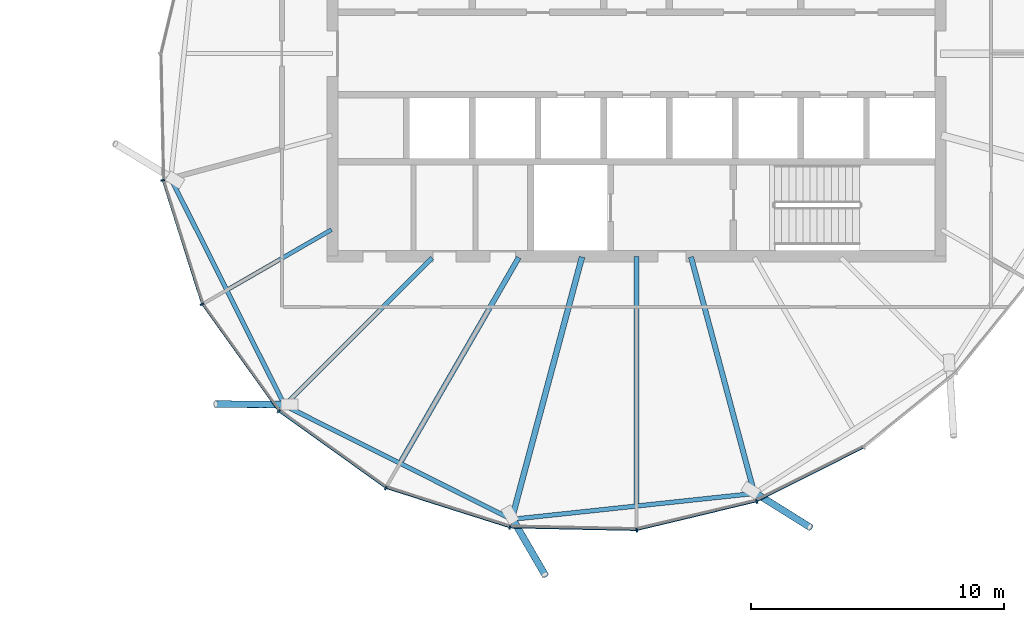
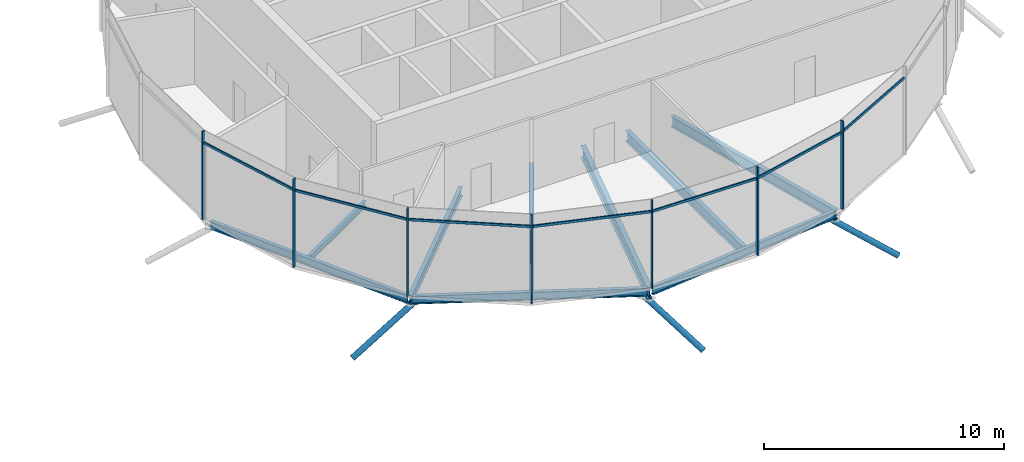
# One storey, part 9 of 31: 17 members, 9 beams, 1 element without a shape of its own.
"""IFC4 building model written with IfcOpenShell, lengths in metres."""

from ifc_helpers import new_model, si_unit, direction, frame, origin, origin_2d, place, context, subcontext, project, spatial, rectangle, hollow_circle, i_section, extrude, clip, halfspace, material, material_profile, profile_set, type_object, element, aggregate, save


model = new_model("IFC4")

# Units and contexts
model_context = context("Model", 3, precision=1e-05, world=origin(), true_north=direction((0.0, 1.0)))
body_context = subcontext(model_context, "Body", "Model", "MODEL_VIEW")
ifc_project = project(units=[si_unit("LENGTHUNIT", "METRE"), si_unit("AREAUNIT", "SQUARE_METRE"), si_unit("VOLUMEUNIT", "CUBIC_METRE"), si_unit("PLANEANGLEUNIT", "RADIAN"), si_unit("MASSUNIT", "GRAM", prefix="KILO")], contexts=[model_context])

# Site, building, storey
site_placement = place(None, origin())
site = spatial("IfcSite", under=ifc_project, at=site_placement, CompositionType="ELEMENT")
building_placement = place(site_placement, origin())
building = spatial("IfcBuilding", under=site, at=building_placement, Name="Rimbun Link Towers", CompositionType="ELEMENT")
storey_placement = place(building_placement, frame((0.0, 0.0, 263.10009765625)))
storey = spatial("IfcBuildingStorey", under=building, at=storey_placement, Name="L64", CompositionType="ELEMENT", Elevation=263.10009765625)

# Curtain wall, members
ifc_material_1 = material(Name="Aluminium 6063-T6 and low-iron glass", Category="aluminium")
curtain_wall_type = type_object("IfcCurtainWallType", Name="CW5 full height lobby wall", PredefinedType="NOTDEFINED", material=ifc_material_1)
curtain_wall_placement = place(storey_placement, origin())
curtain_wall = element("IfcCurtainWall", 1, at=curtain_wall_placement, inside=storey, type_object=curtain_wall_type, Name="CW5 L64 T2", PredefinedType="NOTDEFINED")
ifc_material_2 = material(Name="Aluminium 6063-T6", Category="aluminium")
ifc_material_profile_1 = material_profile(ifc_material_2, rectangle(XDim=0.14990234375, YDim=0.06005859375, at=origin_2d()), Name="MULLION 60X150")
ifc_profile_set_1 = profile_set([ifc_material_profile_1], Name="Aluminium 6063-T6")
member_type_1 = type_object("IfcMemberType", Name="CW5 mullion 60X150", PredefinedType="MULLION", material=ifc_profile_set_1)
member_1_placement = place(storey_placement, frame((13.041259765625, -5.00537109375, 0.0), z_axis=(0.0, 0.0, 1.0), x_axis=(-0.986501737121, -0.16375079437, 0.0)))
member_1 = element("IfcMember", 2, at=member_1_placement, type_object=member_type_1, Name="CW5 mullion", PredefinedType="MULLION", context=body_context, shape_type="SweptSolid", body=[
    extrude(rectangle(XDim=0.14990234375, YDim=0.06005859375, at=origin_2d()), origin(), (0.0, 0.0, 1.0), 4.5),
])
member_2_placement = place(storey_placement, frame((14.597412109375, -9.89794921875, 0.0), z_axis=(0.0, 0.0, 1.0), x_axis=(-0.893745040408, -0.448575303316, 0.0)))
member_2 = element("IfcMember", 3, at=member_2_placement, type_object=member_type_1, Name="CW5 mullion", PredefinedType="MULLION", context=body_context, shape_type="SweptSolid", body=[
    extrude(rectangle(XDim=0.14990234375, YDim=0.06005859375, at=origin_2d()), origin(), (0.0, 0.0, 1.0), 4.5),
])
member_3_placement = place(storey_placement, frame((17.62841796875, -14.12158203125, 0.0), z_axis=(0.0, 0.0, 1.0), x_axis=(-0.707106781187, -0.707106781187, 0.0)))
member_3 = element("IfcMember", 4, at=member_3_placement, type_object=member_type_1, Name="CW5 mullion", PredefinedType="MULLION", context=body_context, shape_type="SweptSolid", body=[
    extrude(rectangle(XDim=0.14990234375, YDim=0.06005859375, at=origin_2d()), origin(), (0.0, 0.0, 1.0), 4.5),
])
member_4_placement = place(storey_placement, frame((21.85205078125, -17.152587890625, 0.0), z_axis=(0.0, 0.0, 1.0), x_axis=(-0.448575303316, -0.893745040408, 0.0)))
member_4 = element("IfcMember", 5, at=member_4_placement, type_object=member_type_1, Name="CW5 mullion", PredefinedType="MULLION", context=body_context, shape_type="SweptSolid", body=[
    extrude(rectangle(XDim=0.14990234375, YDim=0.06005859375, at=origin_2d()), origin(), (0.0, 0.0, 1.0), 4.5),
])
member_5_placement = place(storey_placement, frame((26.74462890625, -18.708740234375, 0.0), z_axis=(0.0, 0.0, 1.0), x_axis=(-0.16375079437, -0.986501737121, 0.0)))
member_5 = element("IfcMember", 6, at=member_5_placement, type_object=member_type_1, Name="CW5 mullion", PredefinedType="MULLION", context=body_context, shape_type="SweptSolid", body=[
    extrude(rectangle(XDim=0.14990234375, YDim=0.06005859375, at=origin_2d()), origin(), (0.0, 0.0, 1.0), 4.5),
])
member_6_placement = place(storey_placement, frame((31.758056640625, -18.814453125, 0.0), z_axis=(0.0, 0.0, 1.0), x_axis=(0.106641931315, -0.994297489932, 0.0)))
member_6 = element("IfcMember", 7, at=member_6_placement, type_object=member_type_1, Name="CW5 mullion", PredefinedType="MULLION", context=body_context, shape_type="SweptSolid", body=[
    extrude(rectangle(XDim=0.14990234375, YDim=0.06005859375, at=origin_2d()), origin(), (0.0, 0.0, 1.0), 4.5),
])
member_7_placement = place(storey_placement, frame((36.49462890625, -17.681640625, 0.0), z_axis=(0.0, 0.0, 1.0), x_axis=(0.34297460179, -0.93934467717, 0.0)))
member_7 = element("IfcMember", 8, at=member_7_placement, type_object=member_type_1, Name="CW5 mullion", PredefinedType="MULLION", context=body_context, shape_type="SweptSolid", body=[
    extrude(rectangle(XDim=0.14990234375, YDim=0.06005859375, at=origin_2d()), origin(), (0.0, 0.0, 1.0), 4.5),
])
ifc_material_3 = material(Name="Aluminium 6063-T6", Category="aluminium")
ifc_material_profile_2 = material_profile(ifc_material_3, rectangle(XDim=0.06005859375, YDim=0.1201171875, at=origin_2d()), Name="TRANSOM 60X120")
ifc_profile_set_2 = profile_set([ifc_material_profile_2], Name="Aluminium 6063-T6")
member_type_2 = type_object("IfcMemberType", Name="CW5 transom 60X120", PredefinedType="USERDEFINED", material=ifc_profile_set_2)
member_8_placement = place(storey_placement, frame((14.596435546875, -9.8544921875, 3.89990234375), z_axis=(-0.30307598417, 0.952966393856, 0.0), x_axis=(-0.952966393856, -0.30307598417, 0.0)))
member_8 = element("IfcMember", 9, at=member_8_placement, type_object=member_type_2, Name="CW5 transom", ObjectType="TRANSOM", PredefinedType="USERDEFINED", context=body_context, shape_type="SweptSolid", body=[
    extrude(rectangle(XDim=0.06005859375, YDim=0.1201171875, at=origin_2d()), origin(), (0.0, 0.0, 1.0), 5.051513671875),
])
member_9_placement = place(storey_placement, frame((17.613525390625, -14.080322265625, 3.89990234375), z_axis=(-0.583011319613, 0.812464030713, 0.0), x_axis=(-0.812464030713, -0.583011319613, 0.0)))
member_9 = element("IfcMember", 10, at=member_9_placement, type_object=member_type_2, Name="CW5 transom", ObjectType="TRANSOM", PredefinedType="USERDEFINED", context=body_context, shape_type="SweptSolid", body=[
    extrude(rectangle(XDim=0.06005859375, YDim=0.1201171875, at=origin_2d()), origin(), (0.0, 0.0, 1.0), 5.11474609375),
])
member_10_placement = place(storey_placement, frame((21.8251953125, -17.118408203125, 3.89990234375), z_axis=(-0.812464030713, 0.583011319613, 0.0), x_axis=(-0.583011319613, -0.812464030713, 0.0)))
member_10 = element("IfcMember", 11, at=member_10_placement, type_object=member_type_2, Name="CW5 transom", ObjectType="TRANSOM", PredefinedType="USERDEFINED", context=body_context, shape_type="SweptSolid", body=[
    extrude(rectangle(XDim=0.06005859375, YDim=0.1201171875, at=origin_2d()), origin(), (0.0, 0.0, 1.0), 5.11474609375),
])
member_11_placement = place(storey_placement, frame((26.70947265625, -18.6845703125, 3.89990234375), z_axis=(-0.952966393856, 0.30307598417, 0.0), x_axis=(-0.30307598417, -0.952966393856, 0.0)))
member_11 = element("IfcMember", 12, at=member_11_placement, type_object=member_type_2, Name="CW5 transom", ObjectType="TRANSOM", PredefinedType="USERDEFINED", context=body_context, shape_type="SweptSolid", body=[
    extrude(rectangle(XDim=0.06005859375, YDim=0.1201171875, at=origin_2d()), origin(), (0.0, 0.0, 1.0), 5.051513671875),
])
member_12_placement = place(storey_placement, frame((31.71875, -18.80126953125, 3.89990234375), z_axis=(-0.999777830849, 0.021078162721, 0.0), x_axis=(-0.021078162721, -0.999777830849, 0.0)))
member_12 = element("IfcMember", 13, at=member_12_placement, type_object=member_type_2, Name="CW5 transom", ObjectType="TRANSOM", PredefinedType="USERDEFINED", context=body_context, shape_type="SweptSolid", body=[
    extrude(rectangle(XDim=0.06005859375, YDim=0.1201171875, at=origin_2d()), origin(), (0.0, 0.0, 1.0), 4.93408203125),
])
member_13_placement = place(storey_placement, frame((36.4541015625, -17.678466796875, 3.89990234375), z_axis=(-0.972564609537, -0.232632930334, 0.0), x_axis=(0.232632930334, -0.972564609537, 0.0)))
member_13 = element("IfcMember", 14, at=member_13_placement, type_object=member_type_2, Name="CW5 transom", ObjectType="TRANSOM", PredefinedType="USERDEFINED", context=body_context, shape_type="SweptSolid", body=[
    extrude(rectangle(XDim=0.06005859375, YDim=0.1201171875, at=origin_2d()), origin(), (0.0, 0.0, 1.0), 4.791748046875),
])
member_14_placement = place(storey_placement, frame((40.694091796875, -15.558837890625, 3.89990234375), z_axis=(-0.893641138393, -0.448782258753, 0.0), x_axis=(0.448782258753, -0.893641138393, 0.0)))
member_14 = element("IfcMember", 15, at=member_14_placement, type_object=member_type_2, Name="CW5 transom", ObjectType="TRANSOM", PredefinedType="USERDEFINED", context=body_context, shape_type="SweptSolid", body=[
    extrude(rectangle(XDim=0.06005859375, YDim=0.1201171875, at=origin_2d()), origin(), (0.0, 0.0, 1.0), 4.6669921875),
])
aggregate(curtain_wall, [member_1, member_2, member_3, member_4, member_5, member_6, member_7, member_8, member_9, member_10, member_11, member_12, member_13, member_14])

# Members
ifc_material_4 = material(Name="Steel S355J2H", Category="steel")
ifc_material_profile_3 = material_profile(ifc_material_4, hollow_circle(Radius=0.136474609375, WallThickness=0.012451171875, at=origin_2d()), Name="CHS 273x12.5")
ifc_profile_set_3 = profile_set([ifc_material_profile_3], Name="Steel S355J2H")
member_type_3 = type_object("IfcMemberType", Name="Floor edge link CHS 273x12.5", PredefinedType="BRACE", material=ifc_profile_set_3)
member_15_placement = place(storey_placement, frame((17.89599609375, -13.85400390625, -0.749755859375), z_axis=(-0.852213506271, 0.005258722271, -0.523167741332), x_axis=(-0.006170545428, -0.999980962003, 0.0)))
element("IfcMember", 16, at=member_15_placement, inside=storey, type_object=member_type_3, Name="Floor edge link T2 L64 12", PredefinedType="BRACE", context=body_context, shape_type="Clipping", body=[
    clip(extrude(hollow_circle(Radius=0.136474609375, WallThickness=0.012451171875, at=origin_2d()), frame((0.0, 0.0, -0.4638671875)), (0.0, 0.0, 1.0), 3.713623046875), halfspace(frame((0.0, 0.0, -0.218505859375), z_axis=(0.0, 0.852229731017, -0.523167741332)), False)),
])
member_16_placement = place(storey_placement, frame((26.83642578125, -18.337890625, -0.898193359375), z_axis=(0.425991668315, -0.732867559034, -0.530505645061), x_axis=(0.86455542927, 0.502537470961, 0.0)))
element("IfcMember", 17, at=member_16_placement, inside=storey, type_object=member_type_3, Name="Floor edge link T2 L64 14", PredefinedType="BRACE", context=body_context, shape_type="Clipping", body=[
    clip(extrude(hollow_circle(Radius=0.136474609375, WallThickness=0.012451171875, at=origin_2d()), frame((0.0, 0.0, -0.455078125)), (0.0, 0.0, 1.0), 3.531494140625), halfspace(frame((0.0, 0.0, -0.2138671875), z_axis=(0.0, 0.847681402744, -0.530505645061)), False)),
])
member_17_placement = place(storey_placement, frame((36.389892578125, -17.31640625, -0.828369140625), z_axis=(0.716120141792, -0.447251079014, -0.535852978755), x_axis=(0.529722952504, 0.848170733751, 0.0)))
element("IfcMember", 18, at=member_17_placement, inside=storey, type_object=member_type_3, Name="Floor edge link T2 L64 16", PredefinedType="BRACE", context=body_context, shape_type="Clipping", body=[
    clip(extrude(hollow_circle(Radius=0.136474609375, WallThickness=0.012451171875, at=origin_2d()), frame((0.0, 0.0, -0.44873046875)), (0.0, 0.0, 1.0), 3.556884765625), halfspace(frame((0.0, 0.0, -0.211181640625), z_axis=(0.0, 0.844311308203, -0.535852978755)), False)),
])

# Beams
ifc_material_5 = material(Name="Steel S355J2", Category="steel")
ifc_material_profile_4 = material_profile(ifc_material_5, i_section(OverallWidth=0.1650390625, OverallDepth=0.303466796875, WebThickness=0.006103515625, FlangeThickness=0.01025390625, at=origin_2d()), Name="UB 305x165x40")
ifc_profile_set_4 = profile_set([ifc_material_profile_4], Name="Steel S355J2")
beam_type_1 = type_object("IfcBeamType", Name="UB 305x165x40", PredefinedType="BEAM", material=ifc_profile_set_4)
beam_1_placement = place(storey_placement, frame((19.7080078125, -6.952392578125, -0.331787109375), z_axis=(-0.866029224906, -0.499993381564, 0.0), x_axis=(0.499993381564, -0.866029224906, 0.0)))
element("IfcBeam", 19, at=beam_1_placement, inside=storey, type_object=beam_type_1, Name="Radial beam T2 L64 11", PredefinedType="BEAM", context=body_context, shape_type="SweptSolid", body=[
    extrude(i_section(OverallWidth=0.1650390625, OverallDepth=0.303466796875, WebThickness=0.006103515625, FlangeThickness=0.01025390625, at=origin_2d()), origin(), (0.0, 0.0, 1.0), 4.68017578125),
])
ifc_material_6 = material(Name="Steel S355J2", Category="steel")
ifc_material_profile_5 = material_profile(ifc_material_6, i_section(OverallWidth=0.177978515625, OverallDepth=0.406494140625, WebThickness=0.0078125, FlangeThickness=0.0126953125, at=origin_2d()), Name="UB 406x178x60")
ifc_profile_set_5 = profile_set([ifc_material_profile_5], Name="Steel S355J2")
beam_type_2 = type_object("IfcBeamType", Name="UB 406x178x60", PredefinedType="BEAM", material=ifc_profile_set_5)
beam_2_placement = place(storey_placement, frame((13.40380859375, -5.005615234375, -0.38330078125), z_axis=(0.448404377725, -0.893830808396, 0.0), x_axis=(0.893830808396, 0.448404377725, 0.0)))
element("IfcBeam", 20, at=beam_2_placement, inside=storey, type_object=beam_type_2, Name="Edge beam T2 L64 10-12", PredefinedType="BEAM", context=body_context, shape_type="SweptSolid", body=[
    extrude(i_section(OverallWidth=0.177978515625, OverallDepth=0.406494140625, WebThickness=0.0078125, FlangeThickness=0.0126953125, at=origin_2d()), origin(), (0.0, 0.0, 1.0), 9.837890625),
])
beam_3_placement = place(storey_placement, frame((17.950927734375, -13.934814453125, -0.38330078125), z_axis=(0.893824075847, -0.448417797859, 0.0), x_axis=(0.448417797859, 0.893824075847, 0.0)))
element("IfcBeam", 21, at=beam_3_placement, inside=storey, type_object=beam_type_2, Name="Edge beam T2 L64 12-14", PredefinedType="BEAM", context=body_context, shape_type="SweptSolid", body=[
    extrude(i_section(OverallWidth=0.177978515625, OverallDepth=0.406494140625, WebThickness=0.0078125, FlangeThickness=0.0126953125, at=origin_2d()), origin(), (0.0, 0.0, 1.0), 9.809326171875),
])
beam_4_placement = place(storey_placement, frame((26.94580078125, -18.373046875, -0.38330078125), z_axis=(0.994362850865, 0.106030754124, 0.0), x_axis=(-0.106030754124, 0.994362850865, 0.0)))
element("IfcBeam", 22, at=beam_4_placement, inside=storey, type_object=beam_type_2, Name="Edge beam T2 L64 14-16", PredefinedType="BEAM", context=body_context, shape_type="SweptSolid", body=[
    extrude(i_section(OverallWidth=0.177978515625, OverallDepth=0.406494140625, WebThickness=0.0078125, FlangeThickness=0.0126953125, at=origin_2d()), origin(), (0.0, 0.0, 1.0), 9.403564453125),
])
ifc_material_7 = material(Name="Steel S355J2", Category="steel")
ifc_material_profile_6 = material_profile(ifc_material_7, i_section(OverallWidth=0.18994140625, OverallDepth=0.453369140625, WebThickness=0.008544921875, FlangeThickness=0.0126953125, at=origin_2d()), Name="UB 457x191x67")
ifc_profile_set_6 = profile_set([ifc_material_profile_6], Name="Steel S355J2")
beam_type_3 = type_object("IfcBeamType", Name="UB 457x191x67", PredefinedType="BEAM", material=ifc_profile_set_6)
beam_5_placement = place(storey_placement, frame((23.68212890625, -8.06787109375, -0.40673828125), z_axis=(-0.707106781187, -0.707106781187, 0.0), x_axis=(0.707106781187, -0.707106781187, 0.0)))
element("IfcBeam", 23, at=beam_5_placement, inside=storey, type_object=beam_type_3, Name="Radial beam T2 L64 12", PredefinedType="BEAM", context=body_context, shape_type="SweptSolid", body=[
    extrude(i_section(OverallWidth=0.18994140625, OverallDepth=0.453369140625, WebThickness=0.008544921875, FlangeThickness=0.0126953125, at=origin_2d()), origin(), (0.0, 0.0, 1.0), 8.23291015625),
])
ifc_material_8 = material(Name="Steel S355J2", Category="steel")
ifc_material_profile_7 = material_profile(ifc_material_8, i_section(OverallWidth=0.209228515625, OverallDepth=0.533203125, WebThickness=0.010009765625, FlangeThickness=0.015625, at=origin_2d()), Name="UB 533x210x92")
ifc_profile_set_7 = profile_set([ifc_material_profile_7], Name="Steel S355J2")
beam_type_4 = type_object("IfcBeamType", Name="UB 533x210x92", PredefinedType="BEAM", material=ifc_profile_set_7)
beam_6_placement = place(storey_placement, frame((27.1005859375, -8.05322265625, -0.446533203125), z_axis=(-0.500001619514, -0.866024468756, 0.0), x_axis=(0.866024468756, -0.500001619514, 0.0)))
element("IfcBeam", 24, at=beam_6_placement, inside=storey, type_object=beam_type_4, Name="Radial beam T2 L64 13", PredefinedType="BEAM", context=body_context, shape_type="SweptSolid", body=[
    extrude(i_section(OverallWidth=0.209228515625, OverallDepth=0.533203125, WebThickness=0.010009765625, FlangeThickness=0.015625, at=origin_2d()), origin(), (0.0, 0.0, 1.0), 9.2861328125),
])
beam_7_placement = place(storey_placement, frame((31.75, -8.0009765625, -0.446533203125), z_axis=(0.0, -1.0, 0.0), x_axis=(1.0, 0.0, 0.0)))
element("IfcBeam", 25, at=beam_7_placement, inside=storey, type_object=beam_type_4, Name="Radial beam T2 L64 15", PredefinedType="BEAM", context=body_context, shape_type="SweptSolid", body=[
    extrude(i_section(OverallWidth=0.209228515625, OverallDepth=0.533203125, WebThickness=0.010009765625, FlangeThickness=0.015625, at=origin_2d()), origin(), (0.0, 0.0, 1.0), 9.769287109375),
])
beam_8_placement = place(storey_placement, frame((33.901123046875, -8.028076171875, -0.446533203125), z_axis=(0.258814780511, -0.965926968973, 0.0), x_axis=(0.965926968973, 0.258814780511, 0.0)))
element("IfcBeam", 26, at=beam_8_placement, inside=storey, type_object=beam_type_4, Name="Radial beam T2 L64 16", PredefinedType="BEAM", context=body_context, shape_type="SweptSolid", body=[
    extrude(i_section(OverallWidth=0.209228515625, OverallDepth=0.533203125, WebThickness=0.010009765625, FlangeThickness=0.015625, at=origin_2d()), origin(), (0.0, 0.0, 1.0), 9.666015625),
])
ifc_material_9 = material(Name="Steel S355J2", Category="steel")
ifc_material_profile_8 = material_profile(ifc_material_9, i_section(OverallWidth=0.2275390625, OverallDepth=0.6025390625, WebThickness=0.010498046875, FlangeThickness=0.014892578125, at=origin_2d()), Name="UB 610x229x101")
ifc_profile_set_8 = profile_set([ifc_material_profile_8], Name="Steel S355J2")
beam_type_5 = type_object("IfcBeamType", Name="UB 610x229x101", PredefinedType="BEAM", material=ifc_profile_set_8)
beam_9_placement = place(storey_placement, frame((29.598388671875, -8.030517578125, -0.4814453125), z_axis=(-0.258833218043, -0.96592202855, 0.0), x_axis=(0.96592202855, -0.258833218043, 0.0)))
element("IfcBeam", 27, at=beam_9_placement, inside=storey, type_object=beam_type_5, Name="Radial beam T2 L64 14", PredefinedType="BEAM", context=body_context, shape_type="SweptSolid", body=[
    extrude(i_section(OverallWidth=0.2275390625, OverallDepth=0.6025390625, WebThickness=0.010498046875, FlangeThickness=0.014892578125, at=origin_2d()), origin(), (0.0, 0.0, 1.0), 10.720703125),
])

save(model, "model.ifc")
